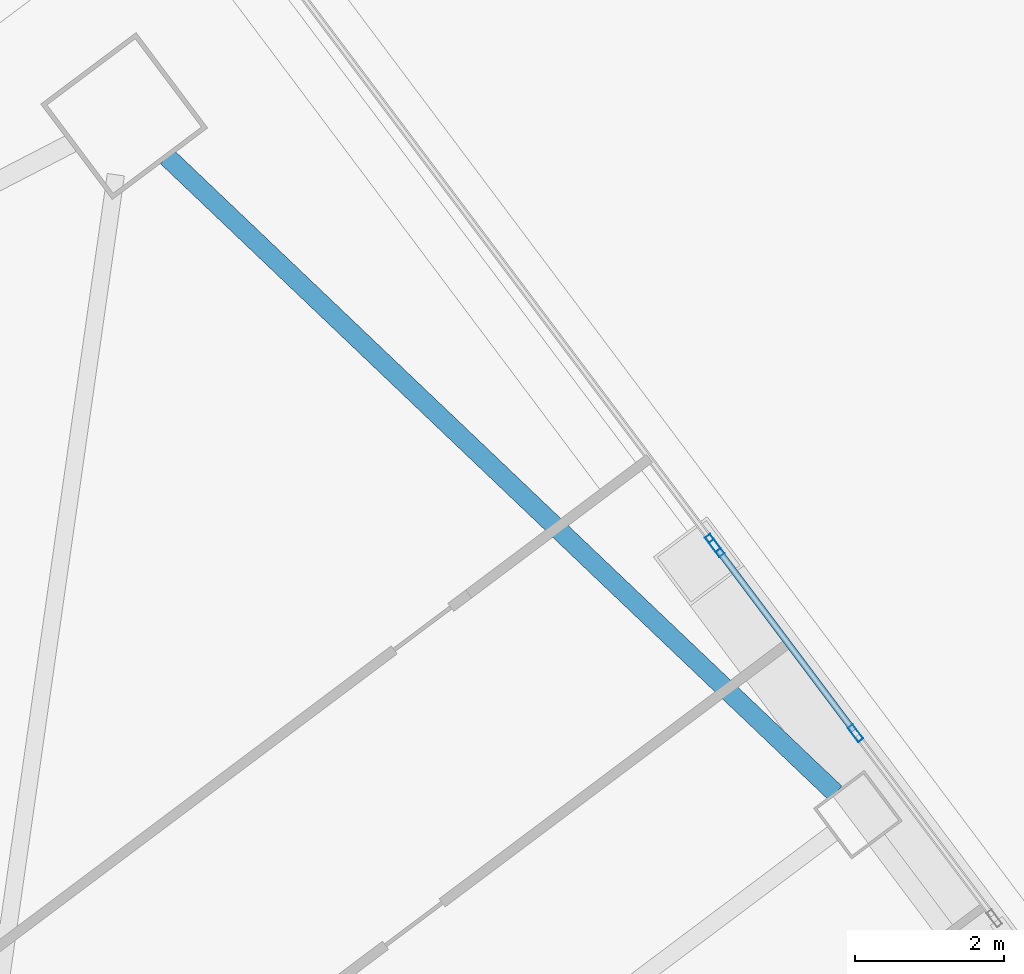
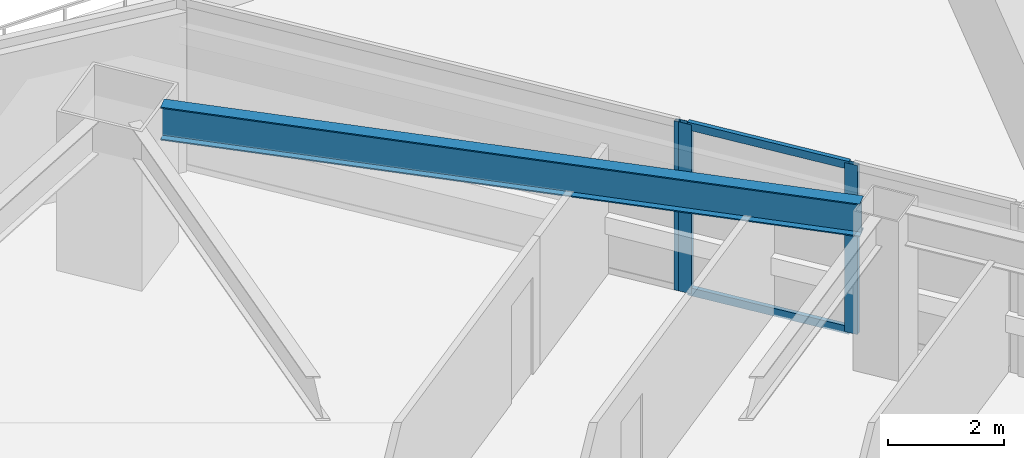
# One storey, part 56 of 83: 5 members, 1 beam, 2 elements without a shape of their own.
"""IFC4 building model written with IfcOpenShell, lengths in metres."""

from ifc_helpers import new_model, si_unit, direction, frame, origin, origin_2d, place, context, subcontext, project, spatial, hollow_rectangle, i_section, extrude, material, material_profile, profile_set, type_object, element, aggregate, save


model = new_model("IFC4")

# Units and contexts
model_context = context("Model", 3, precision=1e-05, world=origin(), true_north=direction((0.0, 1.0)))
body_context = subcontext(model_context, "Body", "Model", "MODEL_VIEW")
ifc_project = project(units=[si_unit("LENGTHUNIT", "METRE"), si_unit("AREAUNIT", "SQUARE_METRE"), si_unit("VOLUMEUNIT", "CUBIC_METRE"), si_unit("PLANEANGLEUNIT", "RADIAN"), si_unit("MASSUNIT", "GRAM", prefix="KILO")], contexts=[model_context])

# Site, building, storey
site_placement = place(None, origin())
site = spatial("IfcSite", under=ifc_project, at=site_placement, CompositionType="ELEMENT")
building_placement = place(site_placement, origin())
building = spatial("IfcBuilding", under=site, at=building_placement, Name="Tashvorn Skyway Center", CompositionType="ELEMENT")
storey_placement = place(building_placement, frame((0.0, 0.0, 24.60009765625)))
storey = spatial("IfcBuildingStorey", under=building, at=storey_placement, Name="L05", CompositionType="ELEMENT", Elevation=24.60009765625)

# Beam
ifc_material_1 = material(Name="Steel ASTM A992 Grade 50", Category="steel")
ifc_material_profile_1 = material_profile(ifc_material_1, i_section(OverallWidth=0.256103515625, OverallDepth=0.693115234375, WebThickness=0.014404296875, FlangeThickness=0.023681640625, at=origin_2d()), Name="W27X114")
ifc_profile_set_1 = profile_set([ifc_material_profile_1], Name="Steel ASTM A992 Grade 50")
beam_type = type_object("IfcBeamType", Name="BM-SPANDREL-W27X114", PredefinedType="SPANDREL", material=ifc_profile_set_1)
beam_placement = place(storey_placement, frame((127.2958984375, 49.23974609375, 3.00341796875), z_axis=(-0.724200339835, 0.689589637236, 0.0), x_axis=(-0.689589637236, -0.724200339835, 0.0)))
element("IfcBeam", 1, at=beam_placement, inside=storey, type_object=beam_type, Name="Tower 2 L05 Spandrel Beam 06", PredefinedType="SPANDREL", context=body_context, shape_type="SweptSolid", body=[
    extrude(i_section(OverallWidth=0.256103515625, OverallDepth=0.693115234375, WebThickness=0.014404296875, FlangeThickness=0.023681640625, at=origin_2d()), origin(), (0.0, 0.0, 1.0), 12.37255859375),
])

# Curtain wall, member
ifc_material_2 = material(Name="Thermally broken bronze-anodized aluminium 6063-T6", Category="aluminium")
curtain_wall_type = type_object("IfcCurtainWallType", Name="CW-CW-Z1", PredefinedType="NOTDEFINED", material=ifc_material_2)
curtain_wall_1_placement = place(storey_placement, origin())
curtain_wall_1 = element("IfcCurtainWall", 2, at=curtain_wall_1_placement, inside=storey, type_object=curtain_wall_type, Name="Tower 2 L05 East Unitised Curtain Wall Glazing Group 1", PredefinedType="NOTDEFINED")
ifc_material_profile_2 = material_profile(ifc_material_2, hollow_rectangle(XDim=0.0849609375, YDim=0.239990234375, WallThickness=0.0048828125, at=origin_2d()), Name="ALU-MULL-85x240")
ifc_profile_set_2 = profile_set([ifc_material_profile_2], Name="Thermally broken bronze-anodized aluminium 6063-T6")
member_type_1 = type_object("IfcMemberType", Name="CWM-CW-Z1", PredefinedType="MULLION", material=ifc_profile_set_2)
member_1_placement = place(storey_placement, frame((125.654541015625, 52.593994140625, 0.0), z_axis=(0.0, 0.0, 1.0), x_axis=(0.799999999998, 0.600000000002, 0.0)))
member_1 = element("IfcMember", 3, at=member_1_placement, type_object=member_type_1, Name="CW-Z1 mullion 2", PredefinedType="MULLION", context=body_context, shape_type="SweptSolid", body=[
    extrude(hollow_rectangle(XDim=0.0849609375, YDim=0.239990234375, WallThickness=0.0048828125, at=origin_2d()), origin(), (0.0, 0.0, 1.0), 3.5498046875),
])
aggregate(curtain_wall_1, [member_1])

# Curtain wall, members
curtain_wall_2_placement = place(storey_placement, origin())
curtain_wall_2 = element("IfcCurtainWall", 4, at=curtain_wall_2_placement, inside=storey, type_object=curtain_wall_type, Name="Tower 2 L05 East Unitised Curtain Wall Glazing Group 2", PredefinedType="NOTDEFINED")
member_2_placement = place(storey_placement, frame((125.70556640625, 52.52587890625, 0.0), z_axis=(0.0, 0.0, 1.0), x_axis=(0.800001906763, 0.599997457641, 0.0)))
member_2 = element("IfcMember", 5, at=member_2_placement, type_object=member_type_1, Name="CW-Z1 mullion 1", PredefinedType="MULLION", context=body_context, shape_type="SweptSolid", body=[
    extrude(hollow_rectangle(XDim=0.0849609375, YDim=0.239990234375, WallThickness=0.0048828125, at=origin_2d()), origin(), (0.0, 0.0, 1.0), 3.5498046875),
])
member_3_placement = place(storey_placement, frame((127.568115234375, 50.042724609375, 0.0), z_axis=(0.0, 0.0, 1.0), x_axis=(0.800001906763, 0.599997457641, 0.0)))
member_3 = element("IfcMember", 6, at=member_3_placement, type_object=member_type_1, Name="CW-Z1 mullion 2", PredefinedType="MULLION", context=body_context, shape_type="SweptSolid", body=[
    extrude(hollow_rectangle(XDim=0.0849609375, YDim=0.239990234375, WallThickness=0.0048828125, at=origin_2d()), origin(), (0.0, 0.0, 1.0), 3.5498046875),
])
ifc_material_profile_3 = material_profile(ifc_material_2, hollow_rectangle(XDim=0.0849609375, YDim=0.1650390625, WallThickness=0.0048828125, at=origin_2d()), Name="ALU-TRAN-85x165")
ifc_profile_set_3 = profile_set([ifc_material_profile_3], Name="Thermally broken bronze-anodized aluminium 6063-T6")
member_type_2 = type_object("IfcMemberType", Name="CWT-CW-Z1", PredefinedType="USERDEFINED", material=ifc_profile_set_3)
member_4_placement = place(storey_placement, frame((125.73095703125, 52.491943359375, 0.04248046875), z_axis=(0.600012938206, -0.799990296182, 0.0), x_axis=(0.799990296182, 0.600012938206, 0.0)))
member_4 = element("IfcMember", 7, at=member_4_placement, type_object=member_type_2, Name="CW-Z1 transom 1.1", ObjectType="TRANSOM", PredefinedType="USERDEFINED", context=body_context, shape_type="SweptSolid", body=[
    extrude(hollow_rectangle(XDim=0.0849609375, YDim=0.1650390625, WallThickness=0.0048828125, at=origin_2d()), origin(), (0.0, 0.0, 1.0), 3.01904296875),
])
member_5_placement = place(storey_placement, frame((125.73095703125, 52.491943359375, 3.50732421875), z_axis=(0.600012938206, -0.799990296182, 0.0), x_axis=(0.799990296182, 0.600012938206, 0.0)))
member_5 = element("IfcMember", 8, at=member_5_placement, type_object=member_type_2, Name="CW-Z1 transom 1.2", ObjectType="TRANSOM", PredefinedType="USERDEFINED", context=body_context, shape_type="SweptSolid", body=[
    extrude(hollow_rectangle(XDim=0.0849609375, YDim=0.1650390625, WallThickness=0.0048828125, at=origin_2d()), origin(), (0.0, 0.0, 1.0), 3.01904296875),
])
aggregate(curtain_wall_2, [member_2, member_3, member_4, member_5])

save(model, "model.ifc")
